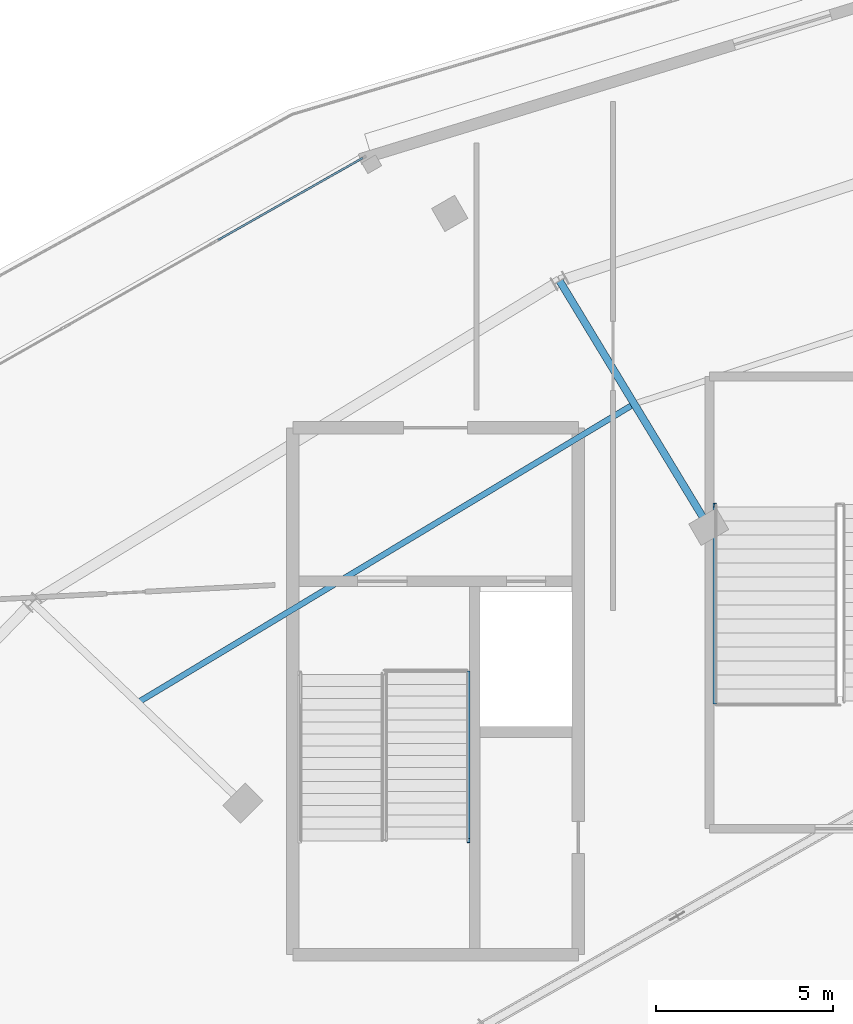
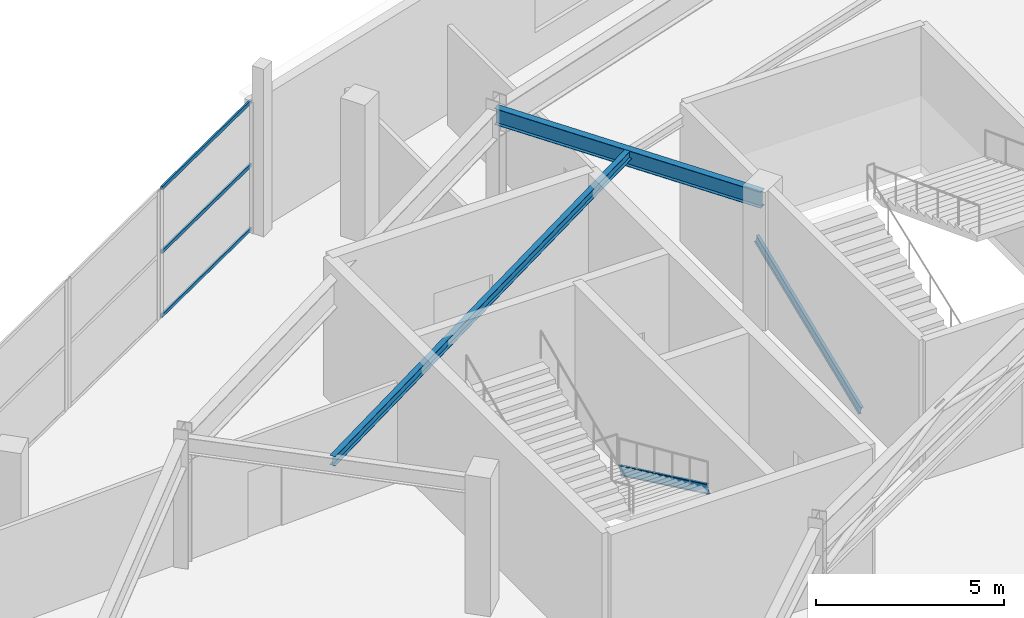
# One storey, part 47 of 123: 5 members, 2 beams, 1 element without a shape of its own.
"""IFC4 building model written with IfcOpenShell, lengths in metres."""

import ifcopenshell
import ifcopenshell.guid

model = None  # the IFC model being written
_history = None  # IfcOwnerHistory: only IFC2X3 demands one
_inside = {}  # id of a spatial element -> (the spatial element, [elements in it])
_under = {}  # id of a project, library or spatial element -> (it, [spatial elements below it])
_declared = {}  # id of a project -> (the project, [libraries it declares])
_typed = {}  # id of a type object -> (the type object, [elements of that type])
_made_of = {}  # id of a material, layer set ... -> (it, [elements and type objects made of it])


def new_model(schema):
    """Start an empty IFC model of exactly this schema.

    Asked for "IFC4X3", IfcOpenShell would pick the latest addendum, in which some entities
    have other attributes; the version numbers below select the first issue.
    IFC2X3 requires an IfcOwnerHistory on every rooted entity: one is made here for all.
    """
    global model, _history
    if schema == "IFC4X3":
        model = ifcopenshell.file(schema_version=(4, 3, 0, 0))
    else:
        model = ifcopenshell.file(schema=schema)
    _inside.clear()
    _under.clear()
    _declared.clear()
    _typed.clear()
    _made_of.clear()
    _history = None
    if model.schema == "IFC2X3":
        org = make("IfcOrganization", Name="unknown")
        user = make(
            "IfcPersonAndOrganization",
            ThePerson=make("IfcPerson", FamilyName="unknown"),
            TheOrganization=org,
        )
        app = make(
            "IfcApplication",
            ApplicationDeveloper=org,
            Version="unknown",
            ApplicationFullName="unknown",
            ApplicationIdentifier="unknown",
        )
        _history = make(
            "IfcOwnerHistory",
            OwningUser=user,
            OwningApplication=app,
            ChangeAction="ADDED",
            CreationDate=0,
        )
    return model


def make(cls, **values):
    """One entity of the class cls with the attributes given. An attribute that is None is left unset."""
    return model.create_entity(
        cls, **{name: value for name, value in values.items() if value is not None}
    )


def rooted(cls, **values):
    """An entity with a GlobalId (a new one), such as an element, a storey or a relation."""
    return make(cls, GlobalId=ifcopenshell.guid.new(), OwnerHistory=_history, **values)


def si_unit(unit_type, name, prefix=None):
    """IfcSIUnit, for example si_unit("LENGTHUNIT", "METRE", prefix="MILLI")."""
    return make("IfcSIUnit", UnitType=unit_type, Prefix=prefix, Name=name)


def assignment(units):
    """IfcUnitAssignment: the units of a project."""
    return None if units is None else make("IfcUnitAssignment", Units=units)


def point(xyz):
    """IfcCartesianPoint."""
    return None if xyz is None else make("IfcCartesianPoint", Coordinates=xyz)


def direction(xyz):
    """IfcDirection."""
    return None if xyz is None else make("IfcDirection", DirectionRatios=xyz)


def frame(location, z_axis=None, x_axis=None):
    """IfcAxis2Placement3D, a coordinate frame: its origin and axes. An axis left out is left unset."""
    return make(
        "IfcAxis2Placement3D",
        Location=point(location),
        Axis=direction(z_axis),
        RefDirection=direction(x_axis),
    )


def frame_2d(location, x_axis=None):
    """IfcAxis2Placement2D, a coordinate frame in the plane: its origin and x axis."""
    return make(
        "IfcAxis2Placement2D", Location=point(location), RefDirection=direction(x_axis)
    )


def origin():
    """The frame at (0, 0, 0) with its axes left unset."""
    return frame((0.0, 0.0, 0.0))


def origin_2d():
    """The frame at (0, 0) in the plane with its x axis left unset."""
    return frame_2d((0.0, 0.0))


def place(relative_to, where):
    """IfcLocalPlacement: puts the frame where relative to a parent placement (None: the world)."""
    return make(
        "IfcLocalPlacement", PlacementRelTo=relative_to, RelativePlacement=where
    )


def context(
    kind, dimensions, precision=None, world=None, true_north=None, identifier=None
):
    """IfcGeometricRepresentationContext, for example the 3D "Model" context."""
    return make(
        "IfcGeometricRepresentationContext",
        ContextIdentifier=identifier,
        ContextType=kind,
        CoordinateSpaceDimension=dimensions,
        Precision=precision,
        WorldCoordinateSystem=world,
        TrueNorth=true_north,
    )


def subcontext(parent, identifier, kind, view, scale=None):
    """IfcGeometricRepresentationSubContext, for example "Body" below "Model"."""
    return make(
        "IfcGeometricRepresentationSubContext",
        ContextIdentifier=identifier,
        ContextType=kind,
        ParentContext=parent,
        TargetScale=scale,
        TargetView=view,
    )


def project(units=None, contexts=None):
    """IfcProject with its units and contexts."""
    return rooted(
        "IfcProject",
        Name="project",
        RepresentationContexts=contexts,
        UnitsInContext=assignment(units),
    )


def spatial(cls, under=None, at=None, **own):
    """A site, building, storey or space (cls), placed at a placement, below another one or the project."""
    s = rooted(cls, ObjectPlacement=at, **own)
    if under is not None:
        _under.setdefault(under.id(), (under, []))[1].append(s)
    return s


def profile(cls, at=None, kind="AREA", **sizes):
    """A parametric profile (cls). Its sizes go by their IFC names, for example OverallWidth=200.0."""
    return make(cls, ProfileType=kind, Position=at, **sizes)


def hollow_rectangle(**sizes):
    """IfcRectangleHollowProfileDef."""
    return profile("IfcRectangleHollowProfileDef", **sizes)


def i_section(**sizes):
    """IfcIShapeProfileDef."""
    return profile("IfcIShapeProfileDef", **sizes)


def extrude(swept, where, along, depth):
    """IfcExtrudedAreaSolid: the profile swept, set in the frame where, extruded along a direction by depth."""
    return make(
        "IfcExtrudedAreaSolid",
        SweptArea=swept,
        Position=where,
        ExtrudedDirection=direction(along),
        Depth=depth,
    )


def shape(context_of_items, identifier, shape_type, items):
    """IfcShapeRepresentation: the items that make up one representation, for example the "Body"."""
    return make(
        "IfcShapeRepresentation",
        ContextOfItems=context_of_items,
        RepresentationIdentifier=identifier,
        RepresentationType=shape_type,
        Items=items,
    )


def material(Name=None, Category=None):
    """IfcMaterial."""
    return make("IfcMaterial", Name=Name, Category=Category)


def layer(
    of_material, thickness, ventilated=None, Name=None, Category=None, Priority=None
):
    """IfcMaterialLayer: one layer of a wall or slab, of a material (None: an air gap)."""
    return make(
        "IfcMaterialLayer",
        Material=of_material,
        LayerThickness=thickness,
        IsVentilated=ventilated,
        Name=Name,
        Category=Category,
        Priority=Priority,
    )


def layer_set(layers, Name=None):
    """IfcMaterialLayerSet."""
    return make("IfcMaterialLayerSet", MaterialLayers=layers, LayerSetName=Name)


def material_profile(
    of_material, cross_section, Name=None, Category=None, Priority=None
):
    """IfcMaterialProfile: a cross section and its material."""
    return make(
        "IfcMaterialProfile",
        Name=Name,
        Material=of_material,
        Profile=cross_section,
        Priority=Priority,
        Category=Category,
    )


def profile_set(profiles, Name=None, composite=None):
    """IfcMaterialProfileSet."""
    return make(
        "IfcMaterialProfileSet",
        Name=Name,
        MaterialProfiles=profiles,
        CompositeProfile=composite,
    )


def made_of(thing, what):
    """Note that an element or type object is made of a material, layer set ...; save() writes the relation."""
    if what is not None:
        _made_of.setdefault(what.id(), (what, []))[1].append(thing)
    return thing


def type_object(cls, material=None, **own):
    """A type object (cls), such as IfcWallType, which elements share."""
    return made_of(rooted(cls, **own), material)


def element(
    cls,
    number,
    at=None,
    inside=None,
    cuts=None,
    type_object=None,
    material=None,
    context=None,
    identifier="Body",
    shape_type=None,
    held_by="IfcProductDefinitionShape",
    body=None,
    shapes=None,
    **own,
):
    """One element of the class cls, such as IfcWall. Its Tag is "e" and its number.

    at: its placement. inside: the storey or other place that contains it. cuts: it is an
    opening in that element (IfcRelVoidsElement). A single representation is given by context,
    identifier, shape_type and body (its items); several are given by shapes. held_by: the class
    of the entity that holds the representations. save() writes the other relations.
    """
    e = rooted(cls, Tag="e%d" % number, ObjectPlacement=at, **own)
    if body is not None:
        shapes = [shape(context, identifier, shape_type, body)]
    if shapes is not None:
        e.Representation = make(held_by, Representations=shapes)
    if inside is not None:
        _inside.setdefault(inside.id(), (inside, []))[1].append(e)
    if cuts is not None:
        rooted(
            "IfcRelVoidsElement", RelatingBuildingElement=cuts, RelatedOpeningElement=e
        )
    if type_object is not None:
        _typed.setdefault(type_object.id(), (type_object, []))[1].append(e)
    return made_of(e, material)


def aggregate(whole, parts):
    """IfcRelAggregates: a whole, such as a stair, and the parts it consists of."""
    return rooted("IfcRelAggregates", RelatingObject=whole, RelatedObjects=parts)


def save(model, path):
    """Write the relations noted so far, then the file.

    IfcRelAggregates (storeys below a building ...), IfcRelContainedInSpatialStructure (elements
    in a storey), IfcRelDefinesByType, IfcRelAssociatesMaterial and IfcRelDeclares: one each for
    every whole, place, type object, material and project.
    """
    for whole, parts in _under.values():
        aggregate(whole, parts)
    for where, things in _inside.values():
        rooted(
            "IfcRelContainedInSpatialStructure",
            RelatedElements=things,
            RelatingStructure=where,
        )
    for kind, things in _typed.values():
        rooted("IfcRelDefinesByType", RelatedObjects=things, RelatingType=kind)
    for what, things in _made_of.values():
        rooted("IfcRelAssociatesMaterial", RelatedObjects=things, RelatingMaterial=what)
    for by, libraries in _declared.values():
        rooted("IfcRelDeclares", RelatingContext=by, RelatedDefinitions=libraries)
    model.write(path)


model = new_model("IFC4")

# Units and contexts
model_context = context("Model", 3, precision=1e-05, world=origin(), true_north=direction((0.0, 1.0)))
body_context = subcontext(model_context, "Body", "Model", "MODEL_VIEW")
ifc_project = project(units=[si_unit("LENGTHUNIT", "METRE"), si_unit("AREAUNIT", "SQUARE_METRE"), si_unit("VOLUMEUNIT", "CUBIC_METRE"), si_unit("PLANEANGLEUNIT", "RADIAN"), si_unit("MASSUNIT", "GRAM", prefix="KILO")], contexts=[model_context])

# Site, building, storey
site_placement = place(None, origin())
site = spatial("IfcSite", under=ifc_project, at=site_placement, CompositionType="ELEMENT")
building_placement = place(site_placement, origin())
building = spatial("IfcBuilding", under=site, at=building_placement, Name="Kalgoora Escarpment Arena", CompositionType="ELEMENT")
storey_placement = place(building_placement, frame((0.0, 0.0, 9.89990234375)))
storey = spatial("IfcBuildingStorey", under=building, at=storey_placement, Name="L02", CompositionType="ELEMENT", Elevation=9.89990234375)

# Beams
ifc_material_1 = material(Name="Structural steel AS/NZS 3679 (300 MPa)", Category="steel")
ifc_material_profile_1 = material_profile(ifc_material_1, i_section(OverallWidth=0.166015625, OverallDepth=0.306884765625, WebThickness=0.006591796875, FlangeThickness=0.01171875, at=origin_2d()))
ifc_profile_set_1 = profile_set([ifc_material_profile_1], Name="Structural steel AS/NZS 3679 (300 MPa)")
beam_type_1 = type_object("IfcBeamType", Name="BM-BEAM-310UB46.2", PredefinedType="BEAM", material=ifc_profile_set_1)
beam_1_placement = place(storey_placement, frame((58.60009765625, 109.8994140625, 4.03662109375), z_axis=(-0.856889805315, -0.515499623227, 0.0), x_axis=(0.515499623227, -0.856889805315, 0.0)))
element("IfcBeam", 1, at=beam_1_placement, inside=storey, type_object=beam_type_1, Name="L02 Concourse secondary ring beam 310UB46.2", PredefinedType="BEAM", context=body_context, shape_type="SweptSolid", body=[
    extrude(i_section(OverallWidth=0.166015625, OverallDepth=0.306884765625, WebThickness=0.006591796875, FlangeThickness=0.01171875, at=origin_2d()), origin(), (0.0, 0.0, 1.0), 16.338623046875),
])
ifc_material_2 = material(Name="Structural steel AS/NZS 3679 (300 MPa)", Category="steel")
ifc_material_profile_2 = material_profile(ifc_material_2, i_section(OverallWidth=0.208984375, OverallDepth=0.528076171875, WebThickness=0.009521484375, FlangeThickness=0.01318359375, at=origin_2d()))
ifc_profile_set_2 = profile_set([ifc_material_profile_2], Name="Structural steel AS/NZS 3679 (300 MPa)")
beam_type_2 = type_object("IfcBeamType", Name="BM-GIRDER-530UB82.0", PredefinedType="USERDEFINED", material=ifc_profile_set_2)
beam_2_placement = place(storey_placement, frame((60.699951171875, 106.435302734375, 3.926025390625), z_axis=(-0.518407902139, 0.85513346736, 0.0), x_axis=(-0.85513346736, -0.518407902139, 0.0)))
element("IfcBeam", 2, at=beam_2_placement, inside=storey, type_object=beam_type_2, Name="L02 Radial concourse girder 530UB82.0", ObjectType="GIRDER", PredefinedType="USERDEFINED", context=body_context, shape_type="SweptSolid", body=[
    extrude(i_section(OverallWidth=0.208984375, OverallDepth=0.528076171875, WebThickness=0.009521484375, FlangeThickness=0.01318359375, at=origin_2d()), origin(), (0.0, 0.0, 1.0), 8.1015625),
])

# Curtain wall, members
ifc_material_3 = material(Name=" Champagne anodised aluminium & double-glazed low-E", Category="aluminium")
ifc_layer = layer(ifc_material_3, 0.14990234375)
ifc_layer_set = layer_set([ifc_layer], Name="CW-UNIT-15")
curtain_wall_type = type_object("IfcCurtainWallType", Name="CW-UNIT-15", PredefinedType="NOTDEFINED", material=ifc_layer_set)
curtain_wall_placement = place(storey_placement, origin())
curtain_wall = element("IfcCurtainWall", 3, at=curtain_wall_placement, inside=storey, type_object=curtain_wall_type, Name="L02 unitised facade curtain wall 074", PredefinedType="NOTDEFINED")
ifc_material_4 = material(Name="Anodised aluminium 6063-T6", Category="aluminium")
ifc_material_profile_3 = material_profile(ifc_material_4, hollow_rectangle(XDim=0.054931640625, YDim=0.1201171875, WallThickness=0.003173828125, at=origin_2d()))
ifc_profile_set_3 = profile_set([ifc_material_profile_3], Name="Anodised aluminium 6063-T6")
member_type_1 = type_object("IfcMemberType", Name="MEM-CW-TRAN-120", PredefinedType="USERDEFINED", material=ifc_profile_set_3)
member_1_placement = place(storey_placement, frame((46.8701171875, 114.5205078125, 0.047607421875), z_axis=(0.869838838332, 0.49333598625, 0.0), x_axis=(-0.49333598625, 0.869838838332, 0.0)))
member_1 = element("IfcMember", 4, at=member_1_placement, type_object=member_type_1, Name="CW-15 transom 1.1", ObjectType="TRANSOM", PredefinedType="USERDEFINED", context=body_context, shape_type="SweptSolid", body=[
    extrude(hollow_rectangle(XDim=0.054931640625, YDim=0.1201171875, WallThickness=0.003173828125, at=origin_2d()), origin(), (0.0, 0.0, 1.0), 4.68505859375),
])
member_2_placement = place(storey_placement, frame((46.8701171875, 114.5205078125, 2.132568359375), z_axis=(0.869838838332, 0.49333598625, 0.0), x_axis=(-0.49333598625, 0.869838838332, 0.0)))
member_2 = element("IfcMember", 5, at=member_2_placement, type_object=member_type_1, Name="CW-15 transom 1.2", ObjectType="TRANSOM", PredefinedType="USERDEFINED", context=body_context, shape_type="SweptSolid", body=[
    extrude(hollow_rectangle(XDim=0.054931640625, YDim=0.1201171875, WallThickness=0.003173828125, at=origin_2d()), origin(), (0.0, 0.0, 1.0), 4.68505859375),
])
member_3_placement = place(storey_placement, frame((46.8701171875, 114.5205078125, 4.197509765625), z_axis=(0.869838838332, 0.49333598625, 0.0), x_axis=(-0.49333598625, 0.869838838332, 0.0)))
member_3 = element("IfcMember", 6, at=member_3_placement, type_object=member_type_1, Name="CW-15 transom 1.3", ObjectType="TRANSOM", PredefinedType="USERDEFINED", context=body_context, shape_type="SweptSolid", body=[
    extrude(hollow_rectangle(XDim=0.054931640625, YDim=0.1201171875, WallThickness=0.003173828125, at=origin_2d()), origin(), (0.0, 0.0, 1.0), 4.68505859375),
])
aggregate(curtain_wall, [member_1, member_2, member_3])

# Members
ifc_material_5 = material(Name="Structural steel AS/NZS 3679 (300 MPa)", Category="steel")
ifc_material_profile_4 = material_profile(ifc_material_5, i_section(OverallWidth=0.090087890625, OverallDepth=0.300048828125, WebThickness=0.008056640625, FlangeThickness=0.01611328125, at=origin_2d()))
ifc_profile_set_4 = profile_set([ifc_material_profile_4], Name="Structural steel AS/NZS 3679 (300 MPa)")
member_type_2 = type_object("IfcMemberType", Name="MEM-STRINGER-PFC", PredefinedType="STRINGER", material=ifc_profile_set_4)
member_4_placement = place(storey_placement, frame((53.929931640625, 102.31005859375, -0.039794921875), z_axis=(0.0, -0.902682652253, 0.430306901317), x_axis=(1.0, 0.0, 0.0)))
element("IfcMember", 7, at=member_4_placement, inside=storey, type_object=member_type_2, Name="ST03 L02 steel stair stringer 1", PredefinedType="STRINGER", context=body_context, shape_type="SweptSolid", body=[
    extrude(i_section(OverallWidth=0.090087890625, OverallDepth=0.300048828125, WebThickness=0.008056640625, FlangeThickness=0.01611328125, at=origin_2d()), origin(), (0.0, 0.0, 1.0), 5.228759765625),
])
member_5_placement = place(storey_placement, frame((60.8701171875, 101.489990234375, -0.039794921875), z_axis=(0.0, 0.926975796404, 0.375121144273), x_axis=(-1.0, 0.0, 0.0)))
element("IfcMember", 8, at=member_5_placement, inside=storey, type_object=member_type_2, Name="ST09 L02 steel stair stringer 1", PredefinedType="STRINGER", context=body_context, shape_type="SweptSolid", body=[
    extrude(i_section(OverallWidth=0.090087890625, OverallDepth=0.300048828125, WebThickness=0.008056640625, FlangeThickness=0.01611328125, at=origin_2d()), origin(), (0.0, 0.0, 1.0), 5.998046875),
])

save(model, "model.ifc")
